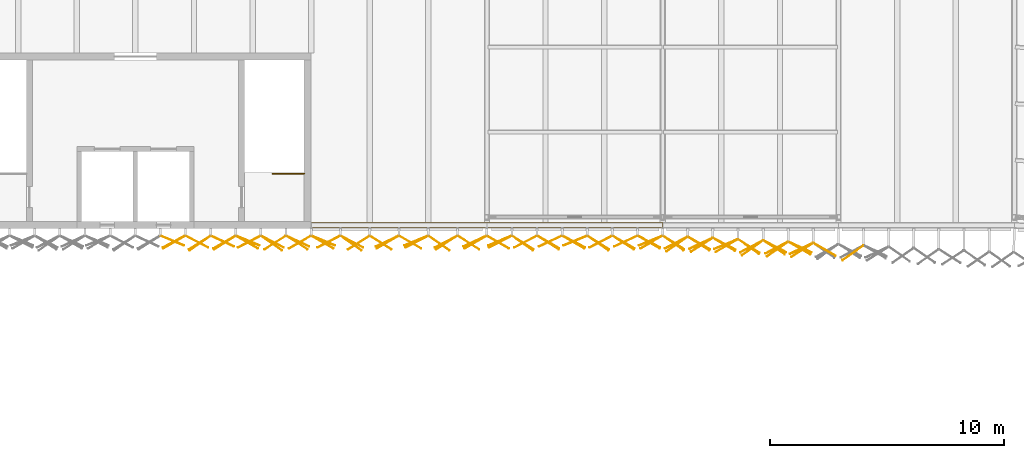
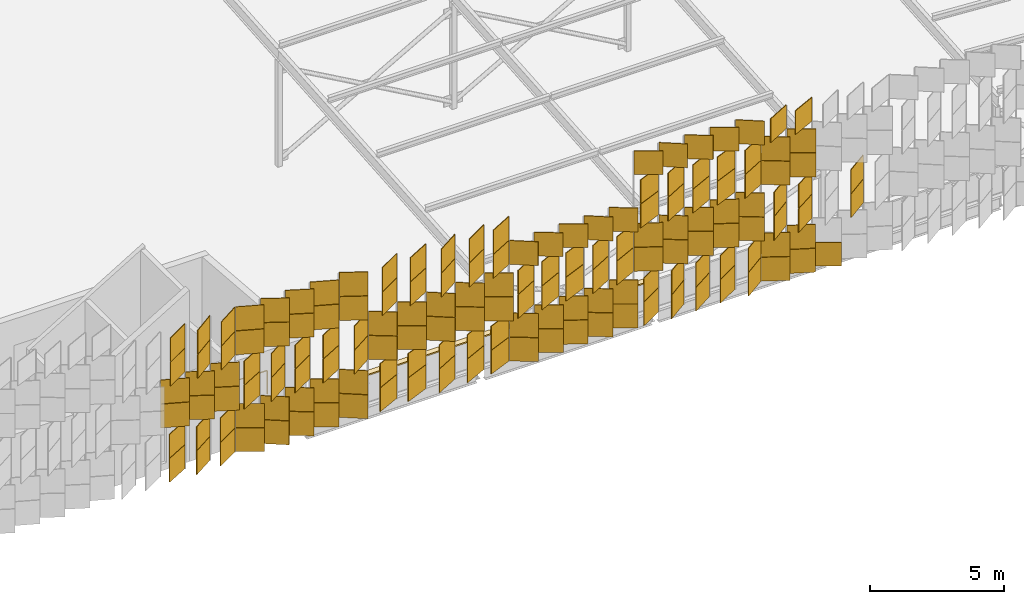
# One storey, part 471 of 483: 157 coverings, 1 railing.
"""IFC4 building model written with IfcOpenShell, lengths in metres."""

from ifc_helpers import new_model, si_unit, direction, frame, origin, origin_2d, place, context, subcontext, project, spatial, polyline, rectangle, circle, outline, extrude, material, layer, layer_set, type_object, element, save


model = new_model("IFC4")

# Units and contexts
model_context = context("Model", 3, precision=1e-05, world=origin(), true_north=direction((0.0, 1.0)))
body_context = subcontext(model_context, "Body", "Model", "MODEL_VIEW")
ifc_project = project(units=[si_unit("LENGTHUNIT", "METRE"), si_unit("AREAUNIT", "SQUARE_METRE"), si_unit("VOLUMEUNIT", "CUBIC_METRE"), si_unit("PLANEANGLEUNIT", "RADIAN"), si_unit("MASSUNIT", "GRAM", prefix="KILO")], contexts=[model_context])

# Site, building, storey
site_placement = place(None, origin())
site = spatial("IfcSite", under=ifc_project, at=site_placement, CompositionType="ELEMENT")
building_placement = place(site_placement, origin())
building = spatial("IfcBuilding", under=site, at=building_placement, Name="Parallax Yard Mobility Hub", CompositionType="ELEMENT")
storey_placement = place(building_placement, frame((0.0, 0.0, 13.199951171875)))
storey = spatial("IfcBuildingStorey", under=building, at=storey_placement, Name="L04", CompositionType="ELEMENT", Elevation=13.199951171875)

# Coverings
ifc_material_1 = material(Name="Concrete fc' 35 MPa", Category="concrete")
ifc_layer_1 = layer(ifc_material_1, 0.06005859375)
ifc_layer_set_1 = layer_set([ifc_layer_1], Name="Parapet coping, Concrete fc' 35 MPa precast, 240")
covering_type_1 = type_object("IfcCoveringType", Name="Parapet coping, Concrete fc' 35 MPa precast, 240", PredefinedType="USERDEFINED", material=ifc_layer_set_1)
covering_1_placement = place(storey_placement, frame((0.0, 0.0, 1.199951171875)))
element("IfcCovering", 1, at=covering_1_placement, inside=storey, type_object=covering_type_1, Name="Parapet coping run 2 part 1", ObjectType="COPING", PredefinedType="USERDEFINED", context=body_context, shape_type="SweptSolid", body=[
    extrude(outline(polyline([(142.5048828125, 112.76611328125), (142.5048828125, 112.52587890625), (150.0, 112.52587890625), (150.0, 112.76611328125), (142.5048828125, 112.76611328125)])), origin(), (0.0, 0.0, 1.0), 0.06005859375),
])
covering_2_placement = place(storey_placement, frame((0.0, 0.0, 1.199951171875)))
element("IfcCovering", 2, at=covering_2_placement, inside=storey, type_object=covering_type_1, Name="Parapet coping run 2 part 2", ObjectType="COPING", PredefinedType="USERDEFINED", context=body_context, shape_type="SweptSolid", body=[
    extrude(outline(polyline([(150.0, 112.76611328125), (150.0, 112.52587890625), (157.5, 112.52587890625), (157.5, 112.76611328125), (150.0, 112.76611328125)])), origin(), (0.0, 0.0, 1.0), 0.06005859375),
])
ifc_material_2 = material(Name="Aluminium panel, silver anodised", Category="aluminium")
ifc_layer_2 = layer(ifc_material_2, 0.030029296875)
ifc_layer_set_2 = layer_set([ifc_layer_2], Name="Skin panel 22.5 degree turn, silver anodised")
covering_type_2 = type_object("IfcCoveringType", Name="Skin panel 22.5 degree turn, silver anodised", PredefinedType="CLADDING", material=ifc_layer_set_2)
for number, where, z_axis, x_axis, name in (
    (3, (136.57861328125, 111.987060546875, 2.219970703125), (0.0, 0.0, 1.0), (0.923879532511, -0.382683432365, 0.0), "Skin panel 22.5 bay 13.9 row 3 level L04"),
    (4, (136.57861328125, 111.987060546875, 3.320068359375), (0.0, 0.0, 1.0), (0.923879532511, -0.382683432365, 0.0), "Skin panel 22.5 bay 13.9 row 4 level L04"),
    (5, (139.79541015625, 111.987060546875, 4.419921875), (0.0, 0.0, 1.0), (0.923879532511, -0.382683432365, 0.0), "Skin panel 22.5 bay 13.12 row 5 level L04"),
    (6, (139.79541015625, 111.987060546875, 5.52001953125), (0.0, 0.0, 1.0), (0.923879532511, -0.382683432365, 0.0), "Skin panel 22.5 bay 13.12 row 6 level L04"),
    (7, (143.011962890625, 111.987060546875, 4.419921875), (0.0, 0.0, 1.0), (0.923879532511, -0.382683432365, 0.0), "Skin panel 22.5 bay 14.1 row 5 level L04"),
    (8, (143.011962890625, 111.987060546875, 5.52001953125), (0.0, 0.0, 1.0), (0.923879532511, -0.382683432365, 0.0), "Skin panel 22.5 bay 14.1 row 6 level L04"),
    (9, (146.98095703125, 111.987060546875, 0.02001953125), (0.0, 0.0, 1.0), (-0.923879532511, -0.382683432365, 0.0), "Skin panel 22.5 bay 14.4 row 1 level L04"),
    (10, (146.98095703125, 111.987060546875, 1.1201171875), (0.0, 0.0, 1.0), (-0.923879532511, -0.382683432365, 0.0), "Skin panel 22.5 bay 14.4 row 2 level L04"),
    (11, (150.551025390625, 111.987060546875, 0.02001953125), (0.0, 0.0, 1.0), (-0.923879532511, -0.382683432365, 0.0), "Skin panel 22.5 bay 15.1 row 1 level L04"),
    (12, (150.551025390625, 111.987060546875, 1.1201171875), (0.0, 0.0, 1.0), (-0.923879532511, -0.382683432365, 0.0), "Skin panel 22.5 bay 15.1 row 2 level L04"),
    (13, (153.765380859375, 111.987060546875, 2.219970703125), (0.0, 0.0, 1.0), (-0.923879532511, -0.382683432365, 0.0), "Skin panel 22.5 bay 15.4 row 3 level L04"),
    (14, (153.765380859375, 111.987060546875, 3.320068359375), (0.0, 0.0, 1.0), (-0.923879532511, -0.382683432365, 0.0), "Skin panel 22.5 bay 15.4 row 4 level L04"),
    (15, (156.97998046875, 111.987060546875, 4.419921875), (0.0, 0.0, 1.0), (-0.923879532511, -0.382683432365, 0.0), "Skin panel 22.5 bay 15.7 row 5 level L04"),
    (16, (156.97998046875, 111.987060546875, 5.52001953125), (0.0, 0.0, 1.0), (-0.923879532511, -0.382683432365, 0.0), "Skin panel 22.5 bay 15.7 row 6 level L04"),
    (17, (160.194580078125, 111.8388671875, 4.419921875), (0.0, 0.0, 1.0), (-0.923879532511, -0.382683432365, 0.0), "Skin panel 22.5 bay 16.3 row 5 level L04"),
    (18, (160.194580078125, 111.8388671875, 5.52001953125), (0.0, 0.0, 1.0), (-0.923879532511, -0.382683432365, 0.0), "Skin panel 22.5 bay 16.3 row 6 level L04"),
):
    element("IfcCovering", number, at=place(storey_placement, frame(where, z_axis=z_axis, x_axis=x_axis)), inside=storey, type_object=covering_type_2, Name=name, ObjectType="SCREEN", PredefinedType="CLADDING", context=body_context, shape_type="SweptSolid", body=[
        extrude(rectangle(XDim=1.080078125, YDim=0.030029296875, at=origin_2d()), origin(), (0.0, 0.0, 1.0), 1.080078125),
    ])
ifc_layer_3 = layer(ifc_material_2, 0.030029296875)
ifc_layer_set_3 = layer_set([ifc_layer_3], Name="Skin panel 25 degree turn, silver anodised")
covering_type_3 = type_object("IfcCoveringType", Name="Skin panel 25 degree turn, silver anodised", PredefinedType="CLADDING", material=ifc_layer_set_3)
for number, where, z_axis, x_axis, name in (
    (19, (138.71337890625, 111.96484375, 2.219970703125), (0.0, 0.0, 1.0), (0.906307787037, -0.422618261741, 0.0), "Skin panel 25 bay 13.11 row 3 level L04"),
    (20, (138.71337890625, 111.96484375, 3.320068359375), (0.0, 0.0, 1.0), (0.906307787037, -0.422618261741, 0.0), "Skin panel 25 bay 13.11 row 4 level L04"),
    (21, (141.929931640625, 111.96484375, 4.419921875), (0.0, 0.0, 1.0), (0.906307787037, -0.422618261741, 0.0), "Skin panel 25 bay 13.14 row 5 level L04"),
    (22, (141.929931640625, 111.96484375, 5.52001953125), (0.0, 0.0, 1.0), (0.906307787037, -0.422618261741, 0.0), "Skin panel 25 bay 13.14 row 6 level L04"),
    (23, (145.74169921875, 111.96484375, 0.02001953125), (0.0, 0.0, 1.0), (-0.906307787037, -0.422618261741, 0.0), "Skin panel 25 bay 14.3 row 1 level L04"),
    (24, (145.74169921875, 111.96484375, 1.1201171875), (0.0, 0.0, 1.0), (-0.906307787037, -0.422618261741, 0.0), "Skin panel 25 bay 14.3 row 2 level L04"),
    (25, (149.4892578125, 111.96484375, 0.02001953125), (0.0, 0.0, 1.0), (-0.906307787037, -0.422618261741, 0.0), "Skin panel 25 bay 14.6 row 1 level L04"),
    (26, (149.4892578125, 111.96484375, 1.1201171875), (0.0, 0.0, 1.0), (-0.906307787037, -0.422618261741, 0.0), "Skin panel 25 bay 14.6 row 2 level L04"),
    (27, (152.703857421875, 111.96484375, 2.219970703125), (0.0, 0.0, 1.0), (-0.906307787037, -0.422618261741, 0.0), "Skin panel 25 bay 15.3 row 3 level L04"),
    (28, (152.703857421875, 111.96484375, 3.320068359375), (0.0, 0.0, 1.0), (-0.906307787037, -0.422618261741, 0.0), "Skin panel 25 bay 15.3 row 4 level L04"),
    (29, (155.918212890625, 111.96484375, 2.219970703125), (0.0, 0.0, 1.0), (-0.906307787037, -0.422618261741, 0.0), "Skin panel 25 bay 15.6 row 3 level L04"),
    (30, (155.918212890625, 111.96484375, 3.320068359375), (0.0, 0.0, 1.0), (-0.906307787037, -0.422618261741, 0.0), "Skin panel 25 bay 15.6 row 4 level L04"),
    (31, (159.1328125, 111.8701171875, 4.419921875), (0.0, 0.0, 1.0), (-0.906307787037, -0.422618261741, 0.0), "Skin panel 25 bay 16.2 row 5 level L04"),
    (32, (159.1328125, 111.8701171875, 5.52001953125), (0.0, 0.0, 1.0), (-0.906307787037, -0.422618261741, 0.0), "Skin panel 25 bay 16.2 row 6 level L04"),
    (33, (163.355712890625, 111.70947265625, 0.02001953125), (0.0, 0.0, 1.0), (0.906307787037, -0.422618261741, 0.0), "Skin panel 25 bay 16.6 row 1 level L04"),
    (34, (163.355712890625, 111.70947265625, 1.1201171875), (0.0, 0.0, 1.0), (0.906307787037, -0.422618261741, 0.0), "Skin panel 25 bay 16.6 row 2 level L04"),
    (35, (163.418701171875, 111.656005859375, 6.6201171875), (0.0, 0.0, 1.0), (-0.906307787037, -0.422618261741, 0.0), "Skin panel 25 bay 16.6 row 7 level L04"),
):
    element("IfcCovering", number, at=place(storey_placement, frame(where, z_axis=z_axis, x_axis=x_axis)), inside=storey, type_object=covering_type_3, Name=name, ObjectType="SCREEN", PredefinedType="CLADDING", context=body_context, shape_type="SweptSolid", body=[
        extrude(rectangle(XDim=1.080078125, YDim=0.030029296875, at=origin_2d()), origin(), (0.0, 0.0, 1.0), 1.080078125),
    ])
ifc_layer_4 = layer(ifc_material_2, 0.030029296875)
ifc_layer_set_4 = layer_set([ifc_layer_4], Name="Skin panel 27.5 degree turn, silver anodised")
covering_type_4 = type_object("IfcCoveringType", Name="Skin panel 27.5 degree turn, silver anodised", PredefinedType="CLADDING", material=ifc_layer_set_4)
for number, where, z_axis, x_axis, name in (
    (36, (136.643310546875, 111.943115234375, 0.02001953125), (0.0, 0.0, 1.0), (-0.887010833178, -0.461748613235, 0.0), "Skin panel 27.5 bay 13.9 row 1 level L04"),
    (37, (136.643310546875, 111.943115234375, 1.1201171875), (0.0, 0.0, 1.0), (-0.887010833178, -0.461748613235, 0.0), "Skin panel 27.5 bay 13.9 row 2 level L04"),
    (38, (137.63037109375, 111.943115234375, 2.219970703125), (0.0, 0.0, 1.0), (0.887010833178, -0.461748613235, 0.0), "Skin panel 27.5 bay 13.10 row 3 level L04"),
    (39, (137.63037109375, 111.943115234375, 3.320068359375), (0.0, 0.0, 1.0), (0.887010833178, -0.461748613235, 0.0), "Skin panel 27.5 bay 13.10 row 4 level L04"),
    (40, (139.860107421875, 111.943115234375, 2.219970703125), (0.0, 0.0, 1.0), (-0.887010833178, -0.461748613235, 0.0), "Skin panel 27.5 bay 13.12 row 3 level L04"),
    (41, (139.860107421875, 111.943115234375, 3.320068359375), (0.0, 0.0, 1.0), (-0.887010833178, -0.461748613235, 0.0), "Skin panel 27.5 bay 13.12 row 4 level L04"),
    (42, (140.84716796875, 111.943115234375, 4.419921875), (0.0, 0.0, 1.0), (0.887010833178, -0.461748613235, 0.0), "Skin panel 27.5 bay 13.13 row 5 level L04"),
    (43, (140.84716796875, 111.943115234375, 5.52001953125), (0.0, 0.0, 1.0), (0.887010833178, -0.461748613235, 0.0), "Skin panel 27.5 bay 13.13 row 6 level L04"),
    (44, (143.25390625, 111.943115234375, 2.219970703125), (0.0, 0.0, 1.0), (-0.887010833178, -0.461748613235, 0.0), "Skin panel 27.5 bay 14.1 row 3 level L04"),
    (45, (143.25390625, 111.943115234375, 3.320068359375), (0.0, 0.0, 1.0), (-0.887010833178, -0.461748613235, 0.0), "Skin panel 27.5 bay 14.1 row 4 level L04"),
    (46, (144.24072265625, 111.943115234375, 4.419921875), (0.0, 0.0, 1.0), (0.887010833178, -0.461748613235, 0.0), "Skin panel 27.5 bay 14.2 row 5 level L04"),
    (47, (144.24072265625, 111.943115234375, 5.52001953125), (0.0, 0.0, 1.0), (0.887010833178, -0.461748613235, 0.0), "Skin panel 27.5 bay 14.2 row 6 level L04"),
    (48, (147.00146484375, 111.943115234375, 4.419921875), (0.0, 0.0, 1.0), (-0.887010833178, -0.461748613235, 0.0), "Skin panel 27.5 bay 14.4 row 5 level L04"),
    (49, (147.00146484375, 111.943115234375, 5.52001953125), (0.0, 0.0, 1.0), (-0.887010833178, -0.461748613235, 0.0), "Skin panel 27.5 bay 14.4 row 6 level L04"),
    (50, (148.250732421875, 111.943115234375, 0.02001953125), (0.0, 0.0, 1.0), (-0.887010833178, -0.461748613235, 0.0), "Skin panel 27.5 bay 14.5 row 1 level L04"),
    (51, (148.250732421875, 111.943115234375, 1.1201171875), (0.0, 0.0, 1.0), (-0.887010833178, -0.461748613235, 0.0), "Skin panel 27.5 bay 14.5 row 2 level L04"),
    (52, (150.571533203125, 111.943115234375, 4.419921875), (0.0, 0.0, 1.0), (-0.887010833178, -0.461748613235, 0.0), "Skin panel 27.5 bay 15.1 row 5 level L04"),
    (53, (150.571533203125, 111.943115234375, 5.52001953125), (0.0, 0.0, 1.0), (-0.887010833178, -0.461748613235, 0.0), "Skin panel 27.5 bay 15.1 row 6 level L04"),
    (54, (151.64306640625, 111.943115234375, 2.219970703125), (0.0, 0.0, 1.0), (-0.887010833178, -0.461748613235, 0.0), "Skin panel 27.5 bay 15.2 row 3 level L04"),
    (55, (151.64306640625, 111.943115234375, 3.320068359375), (0.0, 0.0, 1.0), (-0.887010833178, -0.461748613235, 0.0), "Skin panel 27.5 bay 15.2 row 4 level L04"),
    (56, (153.701416015625, 111.943115234375, 0.02001953125), (0.0, 0.0, 1.0), (0.887010833178, -0.461748613235, 0.0), "Skin panel 27.5 bay 15.4 row 1 level L04"),
    (57, (153.701416015625, 111.943115234375, 1.1201171875), (0.0, 0.0, 1.0), (0.887010833178, -0.461748613235, 0.0), "Skin panel 27.5 bay 15.4 row 2 level L04"),
    (58, (154.857666015625, 111.943115234375, 2.219970703125), (0.0, 0.0, 1.0), (-0.887010833178, -0.461748613235, 0.0), "Skin panel 27.5 bay 15.5 row 3 level L04"),
    (59, (154.857666015625, 111.943115234375, 3.320068359375), (0.0, 0.0, 1.0), (-0.887010833178, -0.461748613235, 0.0), "Skin panel 27.5 bay 15.5 row 4 level L04"),
    (60, (156.916015625, 111.943115234375, 2.219970703125), (0.0, 0.0, 1.0), (0.887010833178, -0.461748613235, 0.0), "Skin panel 27.5 bay 15.7 row 3 level L04"),
    (61, (156.916015625, 111.943115234375, 3.320068359375), (0.0, 0.0, 1.0), (0.887010833178, -0.461748613235, 0.0), "Skin panel 27.5 bay 15.7 row 4 level L04"),
    (62, (158.072021484375, 111.902099609375, 4.419921875), (0.0, 0.0, 1.0), (-0.887010833178, -0.461748613235, 0.0), "Skin panel 27.5 bay 16.1 row 5 level L04"),
    (63, (158.072021484375, 111.902099609375, 5.52001953125), (0.0, 0.0, 1.0), (-0.887010833178, -0.461748613235, 0.0), "Skin panel 27.5 bay 16.1 row 6 level L04"),
    (64, (160.130615234375, 111.848388671875, 2.219970703125), (0.0, 0.0, 1.0), (0.887010833178, -0.461748613235, 0.0), "Skin panel 27.5 bay 16.3 row 3 level L04"),
    (65, (160.130615234375, 111.848388671875, 3.320068359375), (0.0, 0.0, 1.0), (0.887010833178, -0.461748613235, 0.0), "Skin panel 27.5 bay 16.3 row 4 level L04"),
    (66, (161.28662109375, 111.7412109375, 4.419921875), (0.0, 0.0, 1.0), (-0.887010833178, -0.461748613235, 0.0), "Skin panel 27.5 bay 16.4 row 5 level L04"),
    (67, (161.28662109375, 111.7412109375, 5.52001953125), (0.0, 0.0, 1.0), (-0.887010833178, -0.461748613235, 0.0), "Skin panel 27.5 bay 16.4 row 6 level L04"),
    (68, (162.273681640625, 111.7412109375, 0.02001953125), (0.0, 0.0, 1.0), (0.887010833178, -0.461748613235, 0.0), "Skin panel 27.5 bay 16.5 row 1 level L04"),
    (69, (162.273681640625, 111.7412109375, 1.1201171875), (0.0, 0.0, 1.0), (0.887010833178, -0.461748613235, 0.0), "Skin panel 27.5 bay 16.5 row 2 level L04"),
    (70, (162.358154296875, 111.687744140625, 6.6201171875), (0.0, 0.0, 1.0), (-0.887010833178, -0.461748613235, 0.0), "Skin panel 27.5 bay 16.5 row 7 level L04"),
):
    element("IfcCovering", number, at=place(storey_placement, frame(where, z_axis=z_axis, x_axis=x_axis)), inside=storey, type_object=covering_type_4, Name=name, ObjectType="SCREEN", PredefinedType="CLADDING", context=body_context, shape_type="SweptSolid", body=[
        extrude(rectangle(XDim=1.080078125, YDim=0.030029296875, at=origin_2d()), origin(), (0.0, 0.0, 1.0), 1.080078125),
    ])
ifc_layer_5 = layer(ifc_material_2, 0.030029296875)
ifc_layer_set_5 = layer_set([ifc_layer_5], Name="Skin panel 30 degree turn, silver anodised")
covering_type_5 = type_object("IfcCoveringType", Name="Skin panel 30 degree turn, silver anodised", PredefinedType="CLADDING", material=ifc_layer_set_5)
for number, where, z_axis, x_axis, name in (
    (71, (136.655029296875, 111.921875, 4.419921875), (0.0, 0.0, 1.0), (-0.866025403784, -0.5, 0.0), "Skin panel 30 bay 13.9 row 5 level L04"),
    (72, (136.655029296875, 111.921875, 5.52001953125), (0.0, 0.0, 1.0), (-0.866025403784, -0.5, 0.0), "Skin panel 30 bay 13.9 row 6 level L04"),
    (73, (138.799560546875, 111.921875, 0.02001953125), (0.0, 0.0, 1.0), (-0.866025403784, -0.5, 0.0), "Skin panel 30 bay 13.11 row 1 level L04"),
    (74, (138.799560546875, 111.921875, 1.1201171875), (0.0, 0.0, 1.0), (-0.866025403784, -0.5, 0.0), "Skin panel 30 bay 13.11 row 2 level L04"),
    (75, (139.76318359375, 111.921875, 0.02001953125), (0.0, 0.0, 1.0), (0.866025403784, -0.5, 0.0), "Skin panel 30 bay 13.12 row 1 level L04"),
    (76, (139.76318359375, 111.921875, 1.1201171875), (0.0, 0.0, 1.0), (0.866025403784, -0.5, 0.0), "Skin panel 30 bay 13.12 row 2 level L04"),
    (77, (142.01611328125, 111.921875, 2.219970703125), (0.0, 0.0, 1.0), (-0.866025403784, -0.5, 0.0), "Skin panel 30 bay 13.14 row 3 level L04"),
    (78, (142.01611328125, 111.921875, 3.320068359375), (0.0, 0.0, 1.0), (-0.866025403784, -0.5, 0.0), "Skin panel 30 bay 13.14 row 4 level L04"),
    (79, (142.979736328125, 111.921875, 0.02001953125), (0.0, 0.0, 1.0), (0.866025403784, -0.5, 0.0), "Skin panel 30 bay 14.1 row 1 level L04"),
    (80, (142.979736328125, 111.921875, 1.1201171875), (0.0, 0.0, 1.0), (0.866025403784, -0.5, 0.0), "Skin panel 30 bay 14.1 row 2 level L04"),
    (81, (145.763916015625, 111.921875, 4.419921875), (0.0, 0.0, 1.0), (-0.866025403784, -0.5, 0.0), "Skin panel 30 bay 14.3 row 5 level L04"),
    (82, (145.763916015625, 111.921875, 5.52001953125), (0.0, 0.0, 1.0), (-0.866025403784, -0.5, 0.0), "Skin panel 30 bay 14.3 row 6 level L04"),
    (83, (146.7275390625, 111.921875, 2.219970703125), (0.0, 0.0, 1.0), (0.866025403784, -0.5, 0.0), "Skin panel 30 bay 14.4 row 3 level L04"),
    (84, (146.7275390625, 111.921875, 3.320068359375), (0.0, 0.0, 1.0), (0.866025403784, -0.5, 0.0), "Skin panel 30 bay 14.4 row 4 level L04"),
    (85, (149.51171875, 111.921875, 4.419921875), (0.0, 0.0, 1.0), (-0.866025403784, -0.5, 0.0), "Skin panel 30 bay 14.6 row 5 level L04"),
    (86, (149.51171875, 111.921875, 5.52001953125), (0.0, 0.0, 1.0), (-0.866025403784, -0.5, 0.0), "Skin panel 30 bay 14.6 row 6 level L04"),
    (87, (150.475341796875, 111.921875, 2.219970703125), (0.0, 0.0, 1.0), (0.866025403784, -0.5, 0.0), "Skin panel 30 bay 15.1 row 3 level L04"),
    (88, (150.475341796875, 111.921875, 3.320068359375), (0.0, 0.0, 1.0), (0.866025403784, -0.5, 0.0), "Skin panel 30 bay 15.1 row 4 level L04"),
    (89, (152.618408203125, 111.921875, 0.02001953125), (0.0, 0.0, 1.0), (0.866025403784, -0.5, 0.0), "Skin panel 30 bay 15.3 row 1 level L04"),
    (90, (152.618408203125, 111.921875, 1.1201171875), (0.0, 0.0, 1.0), (0.866025403784, -0.5, 0.0), "Skin panel 30 bay 15.3 row 2 level L04"),
    (91, (153.68994140625, 111.921875, 4.419921875), (0.0, 0.0, 1.0), (0.866025403784, -0.5, 0.0), "Skin panel 30 bay 15.4 row 5 level L04"),
    (92, (155.8330078125, 111.921875, 0.02001953125), (0.0, 0.0, 1.0), (0.866025403784, -0.5, 0.0), "Skin panel 30 bay 15.6 row 1 level L04"),
    (93, (155.8330078125, 111.921875, 1.1201171875), (0.0, 0.0, 1.0), (0.866025403784, -0.5, 0.0), "Skin panel 30 bay 15.6 row 2 level L04"),
    (94, (157.01220703125, 111.921875, 0.02001953125), (0.0, 0.0, 1.0), (-0.866025403784, -0.5, 0.0), "Skin panel 30 bay 15.7 row 1 level L04"),
    (95, (157.01220703125, 111.921875, 1.1201171875), (0.0, 0.0, 1.0), (-0.866025403784, -0.5, 0.0), "Skin panel 30 bay 15.7 row 2 level L04"),
    (96, (156.904296875, 111.921875, 6.6201171875), (0.0, 0.0, 1.0), (0.866025403784, -0.5, 0.0), "Skin panel 30 bay 15.7 row 7 level L04"),
    (97, (159.04736328125, 111.880859375, 2.219970703125), (0.0, 0.0, 1.0), (0.866025403784, -0.5, 0.0), "Skin panel 30 bay 16.2 row 3 level L04"),
    (98, (159.04736328125, 111.880859375, 3.320068359375), (0.0, 0.0, 1.0), (0.866025403784, -0.5, 0.0), "Skin panel 30 bay 16.2 row 4 level L04"),
    (99, (160.226806640625, 111.773681640625, 0.02001953125), (0.0, 0.0, 1.0), (-0.866025403784, -0.5, 0.0), "Skin panel 30 bay 16.3 row 1 level L04"),
    (100, (160.226806640625, 111.773681640625, 1.1201171875), (0.0, 0.0, 1.0), (-0.866025403784, -0.5, 0.0), "Skin panel 30 bay 16.3 row 2 level L04"),
    (101, (160.118896484375, 111.8271484375, 6.6201171875), (0.0, 0.0, 1.0), (0.866025403784, -0.5, 0.0), "Skin panel 30 bay 16.3 row 7 level L04"),
    (102, (163.33349609375, 111.66650390625, 4.419921875), (0.0, 0.0, 1.0), (0.866025403784, -0.5, 0.0), "Skin panel 30 bay 16.6 row 5 level L04"),
    (103, (163.33349609375, 111.66650390625, 5.52001953125), (0.0, 0.0, 1.0), (0.866025403784, -0.5, 0.0), "Skin panel 30 bay 16.6 row 6 level L04"),
    (104, (164.40478515625, 111.61279296875, 0.02001953125), (0.0, 0.0, 1.0), (0.866025403784, -0.5, 0.0), "Skin panel 30 bay 16.7 row 1 level L04"),
):
    element("IfcCovering", number, at=place(storey_placement, frame(where, z_axis=z_axis, x_axis=x_axis)), inside=storey, type_object=covering_type_5, Name=name, ObjectType="SCREEN", PredefinedType="CLADDING", context=body_context, shape_type="SweptSolid", body=[
        extrude(rectangle(XDim=1.080078125, YDim=0.030029296875, at=origin_2d()), origin(), (0.0, 0.0, 1.0), 1.080078125),
    ])
ifc_layer_6 = layer(ifc_material_2, 0.030029296875)
ifc_layer_set_6 = layer_set([ifc_layer_6], Name="Skin panel 32.5 degree turn, silver anodised")
covering_type_6 = type_object("IfcCoveringType", Name="Skin panel 32.5 degree turn, silver anodised", PredefinedType="CLADDING", material=ifc_layer_set_6)
for number, where, z_axis, x_axis, name in (
    (105, (137.739990234375, 111.901123046875, 0.02001953125), (0.0, 0.0, 1.0), (-0.843391445813, -0.537299608347, 0.0), "Skin panel 32.5 bay 13.10 row 1 level L04"),
    (106, (137.739990234375, 111.901123046875, 1.1201171875), (0.0, 0.0, 1.0), (-0.843391445813, -0.537299608347, 0.0), "Skin panel 32.5 bay 13.10 row 2 level L04"),
    (107, (138.812255859375, 111.901123046875, 4.419921875), (0.0, 0.0, 1.0), (-0.843391445813, -0.537299608347, 0.0), "Skin panel 32.5 bay 13.11 row 5 level L04"),
    (108, (138.812255859375, 111.901123046875, 5.52001953125), (0.0, 0.0, 1.0), (-0.843391445813, -0.537299608347, 0.0), "Skin panel 32.5 bay 13.11 row 6 level L04"),
    (109, (140.95654296875, 111.901123046875, 2.219970703125), (0.0, 0.0, 1.0), (-0.843391445813, -0.537299608347, 0.0), "Skin panel 32.5 bay 13.13 row 3 level L04"),
    (110, (140.95654296875, 111.901123046875, 3.320068359375), (0.0, 0.0, 1.0), (-0.843391445813, -0.537299608347, 0.0), "Skin panel 32.5 bay 13.13 row 4 level L04"),
    (111, (141.89501953125, 111.901123046875, 0.02001953125), (0.0, 0.0, 1.0), (0.843391445813, -0.537299608347, 0.0), "Skin panel 32.5 bay 13.14 row 1 level L04"),
    (112, (141.89501953125, 111.901123046875, 1.1201171875), (0.0, 0.0, 1.0), (0.843391445813, -0.537299608347, 0.0), "Skin panel 32.5 bay 13.14 row 2 level L04"),
    (113, (144.52734375, 111.901123046875, 2.219970703125), (0.0, 0.0, 1.0), (-0.843391445813, -0.537299608347, 0.0), "Skin panel 32.5 bay 14.2 row 3 level L04"),
    (114, (144.52734375, 111.901123046875, 3.320068359375), (0.0, 0.0, 1.0), (-0.843391445813, -0.537299608347, 0.0), "Skin panel 32.5 bay 14.2 row 4 level L04"),
    (115, (145.4658203125, 111.901123046875, 2.219970703125), (0.0, 0.0, 1.0), (0.843391445813, -0.537299608347, 0.0), "Skin panel 32.5 bay 14.3 row 3 level L04"),
    (116, (145.4658203125, 111.901123046875, 3.320068359375), (0.0, 0.0, 1.0), (0.843391445813, -0.537299608347, 0.0), "Skin panel 32.5 bay 14.3 row 4 level L04"),
    (117, (148.275146484375, 111.901123046875, 4.419921875), (0.0, 0.0, 1.0), (-0.843391445813, -0.537299608347, 0.0), "Skin panel 32.5 bay 14.5 row 5 level L04"),
    (118, (148.275146484375, 111.901123046875, 5.52001953125), (0.0, 0.0, 1.0), (-0.843391445813, -0.537299608347, 0.0), "Skin panel 32.5 bay 14.5 row 6 level L04"),
    (119, (149.21337890625, 111.901123046875, 2.219970703125), (0.0, 0.0, 1.0), (0.843391445813, -0.537299608347, 0.0), "Skin panel 32.5 bay 14.6 row 3 level L04"),
    (120, (149.21337890625, 111.901123046875, 3.320068359375), (0.0, 0.0, 1.0), (0.843391445813, -0.537299608347, 0.0), "Skin panel 32.5 bay 14.6 row 4 level L04"),
    (121, (151.5341796875, 111.901123046875, 0.02001953125), (0.0, 0.0, 1.0), (0.843391445813, -0.537299608347, 0.0), "Skin panel 32.5 bay 15.2 row 1 level L04"),
    (122, (151.5341796875, 111.901123046875, 1.1201171875), (0.0, 0.0, 1.0), (0.843391445813, -0.537299608347, 0.0), "Skin panel 32.5 bay 15.2 row 2 level L04"),
    (123, (152.605712890625, 111.901123046875, 4.419921875), (0.0, 0.0, 1.0), (0.843391445813, -0.537299608347, 0.0), "Skin panel 32.5 bay 15.3 row 5 level L04"),
    (124, (154.748779296875, 111.901123046875, 0.02001953125), (0.0, 0.0, 1.0), (0.843391445813, -0.537299608347, 0.0), "Skin panel 32.5 bay 15.5 row 1 level L04"),
    (125, (154.748779296875, 111.901123046875, 1.1201171875), (0.0, 0.0, 1.0), (0.843391445813, -0.537299608347, 0.0), "Skin panel 32.5 bay 15.5 row 2 level L04"),
    (126, (155.8203125, 111.901123046875, 4.419921875), (0.0, 0.0, 1.0), (0.843391445813, -0.537299608347, 0.0), "Skin panel 32.5 bay 15.6 row 5 level L04"),
    (127, (157.96337890625, 111.901123046875, 2.219970703125), (0.0, 0.0, 1.0), (0.843391445813, -0.537299608347, 0.0), "Skin panel 32.5 bay 16.1 row 3 level L04"),
    (128, (157.96337890625, 111.901123046875, 3.320068359375), (0.0, 0.0, 1.0), (0.843391445813, -0.537299608347, 0.0), "Skin panel 32.5 bay 16.1 row 4 level L04"),
    (129, (159.167724609375, 111.806396484375, 0.02001953125), (0.0, 0.0, 1.0), (-0.843391445813, -0.537299608347, 0.0), "Skin panel 32.5 bay 16.2 row 1 level L04"),
    (130, (159.167724609375, 111.806396484375, 1.1201171875), (0.0, 0.0, 1.0), (-0.843391445813, -0.537299608347, 0.0), "Skin panel 32.5 bay 16.2 row 2 level L04"),
    (131, (159.034912109375, 111.860107421875, 6.6201171875), (0.0, 0.0, 1.0), (0.843391445813, -0.537299608347, 0.0), "Skin panel 32.5 bay 16.2 row 7 level L04"),
    (132, (161.177734375, 111.7529296875, 2.219970703125), (0.0, 0.0, 1.0), (0.843391445813, -0.537299608347, 0.0), "Skin panel 32.5 bay 16.4 row 3 level L04"),
    (133, (161.177734375, 111.7529296875, 3.320068359375), (0.0, 0.0, 1.0), (0.843391445813, -0.537299608347, 0.0), "Skin panel 32.5 bay 16.4 row 4 level L04"),
    (134, (162.249267578125, 111.69921875, 4.419921875), (0.0, 0.0, 1.0), (0.843391445813, -0.537299608347, 0.0), "Skin panel 32.5 bay 16.5 row 5 level L04"),
    (135, (162.249267578125, 111.69921875, 5.52001953125), (0.0, 0.0, 1.0), (0.843391445813, -0.537299608347, 0.0), "Skin panel 32.5 bay 16.5 row 6 level L04"),
    (136, (163.453857421875, 111.592041015625, 2.219970703125), (0.0, 0.0, 1.0), (-0.843391445813, -0.537299608347, 0.0), "Skin panel 32.5 bay 16.6 row 3 level L04"),
    (137, (163.453857421875, 111.592041015625, 3.320068359375), (0.0, 0.0, 1.0), (-0.843391445813, -0.537299608347, 0.0), "Skin panel 32.5 bay 16.6 row 4 level L04"),
):
    element("IfcCovering", number, at=place(storey_placement, frame(where, z_axis=z_axis, x_axis=x_axis)), inside=storey, type_object=covering_type_6, Name=name, ObjectType="SCREEN", PredefinedType="CLADDING", context=body_context, shape_type="SweptSolid", body=[
        extrude(rectangle(XDim=1.080078125, YDim=0.030029296875, at=origin_2d()), origin(), (0.0, 0.0, 1.0), 1.080078125),
    ])
ifc_layer_7 = layer(ifc_material_2, 0.030029296875)
ifc_layer_set_7 = layer_set([ifc_layer_7], Name="Skin panel 35 degree turn, silver anodised")
covering_type_7 = type_object("IfcCoveringType", Name="Skin panel 35 degree turn, silver anodised", PredefinedType="CLADDING", material=ifc_layer_set_7)
for number, where, z_axis, x_axis, name in (
    (138, (137.75341796875, 111.880859375, 4.419921875), (0.0, 0.0, 1.0), (-0.819152044289, -0.573576436351, 0.0), "Skin panel 35 bay 13.10 row 5 level L04"),
    (139, (137.75341796875, 111.880859375, 5.52001953125), (0.0, 0.0, 1.0), (-0.819152044289, -0.573576436351, 0.0), "Skin panel 35 bay 13.10 row 6 level L04"),
    (140, (140.809326171875, 111.880859375, 0.02001953125), (0.0, 0.0, 1.0), (0.819152044289, -0.573576436351, 0.0), "Skin panel 35 bay 13.13 row 1 level L04"),
    (141, (140.809326171875, 111.880859375, 1.1201171875), (0.0, 0.0, 1.0), (0.819152044289, -0.573576436351, 0.0), "Skin panel 35 bay 13.13 row 2 level L04"),
    (142, (144.202880859375, 111.880859375, 0.02001953125), (0.0, 0.0, 1.0), (0.819152044289, -0.573576436351, 0.0), "Skin panel 35 bay 14.2 row 1 level L04"),
    (143, (144.202880859375, 111.880859375, 1.1201171875), (0.0, 0.0, 1.0), (0.819152044289, -0.573576436351, 0.0), "Skin panel 35 bay 14.2 row 2 level L04"),
    (144, (147.95068359375, 111.880859375, 2.219970703125), (0.0, 0.0, 1.0), (0.819152044289, -0.573576436351, 0.0), "Skin panel 35 bay 14.5 row 3 level L04"),
    (145, (147.95068359375, 111.880859375, 3.320068359375), (0.0, 0.0, 1.0), (0.819152044289, -0.573576436351, 0.0), "Skin panel 35 bay 14.5 row 4 level L04"),
    (146, (151.520751953125, 111.880859375, 4.419921875), (0.0, 0.0, 1.0), (0.819152044289, -0.573576436351, 0.0), "Skin panel 35 bay 15.2 row 5 level L04"),
    (147, (154.7353515625, 111.880859375, 4.419921875), (0.0, 0.0, 1.0), (0.819152044289, -0.573576436351, 0.0), "Skin panel 35 bay 15.5 row 5 level L04"),
    (148, (158.10986328125, 111.83984375, 0.02001953125), (0.0, 0.0, 1.0), (-0.819152044289, -0.573576436351, 0.0), "Skin panel 35 bay 16.1 row 1 level L04"),
    (149, (158.10986328125, 111.83984375, 1.1201171875), (0.0, 0.0, 1.0), (-0.819152044289, -0.573576436351, 0.0), "Skin panel 35 bay 16.1 row 2 level L04"),
    (150, (157.94970703125, 111.880859375, 6.6201171875), (0.0, 0.0, 1.0), (0.819152044289, -0.573576436351, 0.0), "Skin panel 35 bay 16.1 row 7 level L04"),
    (151, (161.32421875, 111.67919921875, 0.02001953125), (0.0, 0.0, 1.0), (-0.819152044289, -0.573576436351, 0.0), "Skin panel 35 bay 16.4 row 1 level L04"),
    (152, (161.32421875, 111.67919921875, 1.1201171875), (0.0, 0.0, 1.0), (-0.819152044289, -0.573576436351, 0.0), "Skin panel 35 bay 16.4 row 2 level L04"),
    (153, (161.164306640625, 111.732666015625, 6.6201171875), (0.0, 0.0, 1.0), (0.819152044289, -0.573576436351, 0.0), "Skin panel 35 bay 16.4 row 7 level L04"),
    (154, (162.395751953125, 111.62548828125, 2.219970703125), (0.0, 0.0, 1.0), (-0.819152044289, -0.573576436351, 0.0), "Skin panel 35 bay 16.5 row 3 level L04"),
    (155, (162.395751953125, 111.62548828125, 3.320068359375), (0.0, 0.0, 1.0), (-0.819152044289, -0.573576436351, 0.0), "Skin panel 35 bay 16.5 row 4 level L04"),
    (156, (165.6103515625, 111.46484375, 2.219970703125), (0.0, 0.0, 1.0), (-0.819152044289, -0.573576436351, 0.0), "Skin panel 35 bay 17.1 row 3 level L04"),
    (157, (165.6103515625, 111.46484375, 3.320068359375), (0.0, 0.0, 1.0), (-0.819152044289, -0.573576436351, 0.0), "Skin panel 35 bay 17.1 row 4 level L04"),
):
    element("IfcCovering", number, at=place(storey_placement, frame(where, z_axis=z_axis, x_axis=x_axis)), inside=storey, type_object=covering_type_7, Name=name, ObjectType="SCREEN", PredefinedType="CLADDING", context=body_context, shape_type="SweptSolid", body=[
        extrude(rectangle(XDim=1.080078125, YDim=0.030029296875, at=origin_2d()), origin(), (0.0, 0.0, 1.0), 1.080078125),
    ])

# Railing
ifc_material_3 = material(Name="Steel ASTM A36", Category="steel")
railing_type = type_object("IfcRailingType", Name="Stair guard 1100", PredefinedType="GUARDRAIL", material=ifc_material_3)
railing_placement = place(storey_placement, frame((142.199951171875, 114.85009765625, 0.0)))
element("IfcRailing", 158, at=railing_placement, inside=storey, type_object=railing_type, Name="L04 ST5 top well guard 1", PredefinedType="GUARDRAIL", context=body_context, shape_type="SweptSolid", body=[
    extrude(circle(Radius=0.02392578125, at=origin_2d()), frame((0.0, 0.0, 1.076171875), z_axis=(-1.0, 0.0, 0.0), x_axis=(0.0, -1.0, 0.0)), (0.0, 0.0, 1.0), 1.349853515625),
    extrude(circle(Radius=0.02099609375, at=origin_2d()), origin(), (0.0, 0.0, 1.0), 1.052001953125),
    extrude(circle(Radius=0.02099609375, at=origin_2d()), frame((-0.6748046875, 0.0, 0.0)), (0.0, 0.0, 1.0), 1.052001953125),
    extrude(circle(Radius=0.02099609375, at=origin_2d()), frame((-1.349853515625, 0.0, 0.0)), (0.0, 0.0, 1.0), 1.052001953125),
])

save(model, "model.ifc")
